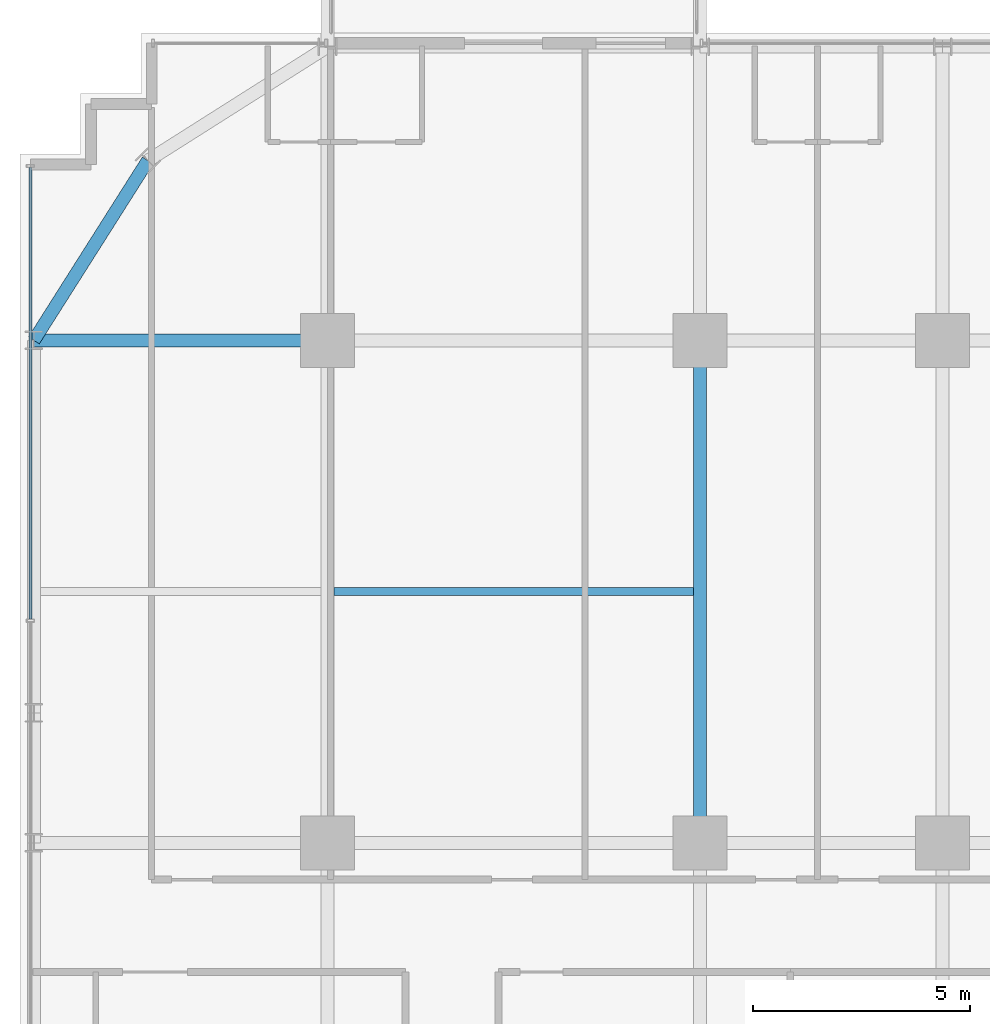
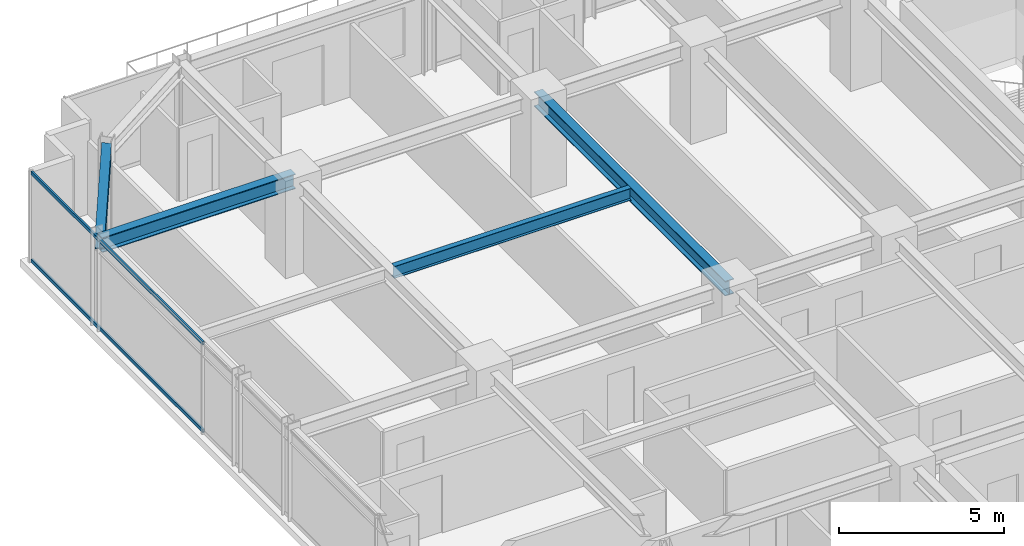
# One storey, part 17 of 34: 4 beams, 2 members, 1 element without a shape of its own.
"""IFC4 building model written with IfcOpenShell, lengths in metres."""

import ifcopenshell
import ifcopenshell.guid

model = None  # the IFC model being written
_history = None  # IfcOwnerHistory: only IFC2X3 demands one
_inside = {}  # id of a spatial element -> (the spatial element, [elements in it])
_under = {}  # id of a project, library or spatial element -> (it, [spatial elements below it])
_declared = {}  # id of a project -> (the project, [libraries it declares])
_typed = {}  # id of a type object -> (the type object, [elements of that type])
_made_of = {}  # id of a material, layer set ... -> (it, [elements and type objects made of it])


def new_model(schema):
    """Start an empty IFC model of exactly this schema.

    Asked for "IFC4X3", IfcOpenShell would pick the latest addendum, in which some entities
    have other attributes; the version numbers below select the first issue.
    IFC2X3 requires an IfcOwnerHistory on every rooted entity: one is made here for all.
    """
    global model, _history
    if schema == "IFC4X3":
        model = ifcopenshell.file(schema_version=(4, 3, 0, 0))
    else:
        model = ifcopenshell.file(schema=schema)
    _inside.clear()
    _under.clear()
    _declared.clear()
    _typed.clear()
    _made_of.clear()
    _history = None
    if model.schema == "IFC2X3":
        org = make("IfcOrganization", Name="unknown")
        user = make(
            "IfcPersonAndOrganization",
            ThePerson=make("IfcPerson", FamilyName="unknown"),
            TheOrganization=org,
        )
        app = make(
            "IfcApplication",
            ApplicationDeveloper=org,
            Version="unknown",
            ApplicationFullName="unknown",
            ApplicationIdentifier="unknown",
        )
        _history = make(
            "IfcOwnerHistory",
            OwningUser=user,
            OwningApplication=app,
            ChangeAction="ADDED",
            CreationDate=0,
        )
    return model


def make(cls, **values):
    """One entity of the class cls with the attributes given. An attribute that is None is left unset."""
    return model.create_entity(
        cls, **{name: value for name, value in values.items() if value is not None}
    )


def rooted(cls, **values):
    """An entity with a GlobalId (a new one), such as an element, a storey or a relation."""
    return make(cls, GlobalId=ifcopenshell.guid.new(), OwnerHistory=_history, **values)


def si_unit(unit_type, name, prefix=None):
    """IfcSIUnit, for example si_unit("LENGTHUNIT", "METRE", prefix="MILLI")."""
    return make("IfcSIUnit", UnitType=unit_type, Prefix=prefix, Name=name)


def assignment(units):
    """IfcUnitAssignment: the units of a project."""
    return None if units is None else make("IfcUnitAssignment", Units=units)


def point(xyz):
    """IfcCartesianPoint."""
    return None if xyz is None else make("IfcCartesianPoint", Coordinates=xyz)


def direction(xyz):
    """IfcDirection."""
    return None if xyz is None else make("IfcDirection", DirectionRatios=xyz)


def frame(location, z_axis=None, x_axis=None):
    """IfcAxis2Placement3D, a coordinate frame: its origin and axes. An axis left out is left unset."""
    return make(
        "IfcAxis2Placement3D",
        Location=point(location),
        Axis=direction(z_axis),
        RefDirection=direction(x_axis),
    )


def frame_2d(location, x_axis=None):
    """IfcAxis2Placement2D, a coordinate frame in the plane: its origin and x axis."""
    return make(
        "IfcAxis2Placement2D", Location=point(location), RefDirection=direction(x_axis)
    )


def origin():
    """The frame at (0, 0, 0) with its axes left unset."""
    return frame((0.0, 0.0, 0.0))


def origin_2d():
    """The frame at (0, 0) in the plane with its x axis left unset."""
    return frame_2d((0.0, 0.0))


def place(relative_to, where):
    """IfcLocalPlacement: puts the frame where relative to a parent placement (None: the world)."""
    return make(
        "IfcLocalPlacement", PlacementRelTo=relative_to, RelativePlacement=where
    )


def context(
    kind, dimensions, precision=None, world=None, true_north=None, identifier=None
):
    """IfcGeometricRepresentationContext, for example the 3D "Model" context."""
    return make(
        "IfcGeometricRepresentationContext",
        ContextIdentifier=identifier,
        ContextType=kind,
        CoordinateSpaceDimension=dimensions,
        Precision=precision,
        WorldCoordinateSystem=world,
        TrueNorth=true_north,
    )


def subcontext(parent, identifier, kind, view, scale=None):
    """IfcGeometricRepresentationSubContext, for example "Body" below "Model"."""
    return make(
        "IfcGeometricRepresentationSubContext",
        ContextIdentifier=identifier,
        ContextType=kind,
        ParentContext=parent,
        TargetScale=scale,
        TargetView=view,
    )


def project(units=None, contexts=None):
    """IfcProject with its units and contexts."""
    return rooted(
        "IfcProject",
        Name="project",
        RepresentationContexts=contexts,
        UnitsInContext=assignment(units),
    )


def spatial(cls, under=None, at=None, **own):
    """A site, building, storey or space (cls), placed at a placement, below another one or the project."""
    s = rooted(cls, ObjectPlacement=at, **own)
    if under is not None:
        _under.setdefault(under.id(), (under, []))[1].append(s)
    return s


def profile(cls, at=None, kind="AREA", **sizes):
    """A parametric profile (cls). Its sizes go by their IFC names, for example OverallWidth=200.0."""
    return make(cls, ProfileType=kind, Position=at, **sizes)


def hollow_rectangle(**sizes):
    """IfcRectangleHollowProfileDef."""
    return profile("IfcRectangleHollowProfileDef", **sizes)


def i_section(**sizes):
    """IfcIShapeProfileDef."""
    return profile("IfcIShapeProfileDef", **sizes)


def extrude(swept, where, along, depth):
    """IfcExtrudedAreaSolid: the profile swept, set in the frame where, extruded along a direction by depth."""
    return make(
        "IfcExtrudedAreaSolid",
        SweptArea=swept,
        Position=where,
        ExtrudedDirection=direction(along),
        Depth=depth,
    )


def shape(context_of_items, identifier, shape_type, items):
    """IfcShapeRepresentation: the items that make up one representation, for example the "Body"."""
    return make(
        "IfcShapeRepresentation",
        ContextOfItems=context_of_items,
        RepresentationIdentifier=identifier,
        RepresentationType=shape_type,
        Items=items,
    )


def source(mapping_origin, context_of_items, identifier, shape_type, items):
    """IfcRepresentationMap: a shape defined once, which mapped items show again and again."""
    return make(
        "IfcRepresentationMap",
        MappingOrigin=mapping_origin,
        MappedRepresentation=shape(context_of_items, identifier, shape_type, items),
    )


def transform(
    local_origin,
    x_axis=None,
    y_axis=None,
    z_axis=None,
    scale=None,
    scale2=None,
    scale3=None,
    uniform=True,
):
    """IfcCartesianTransformationOperator3D, or its non-uniform kind. x_axis, y_axis, z_axis: its Axis1, 2, 3."""
    if uniform:
        return make(
            "IfcCartesianTransformationOperator3D",
            Axis1=direction(x_axis),
            Axis2=direction(y_axis),
            LocalOrigin=point(local_origin),
            Scale=scale,
            Axis3=direction(z_axis),
        )
    return make(
        "IfcCartesianTransformationOperator3DnonUniform",
        Axis1=direction(x_axis),
        Axis2=direction(y_axis),
        LocalOrigin=point(local_origin),
        Scale=scale,
        Axis3=direction(z_axis),
        Scale2=scale2,
        Scale3=scale3,
    )


def mapped(mapping_source, mapping_target):
    """IfcMappedItem: shows the shape of a source again, moved by a transform."""
    return make(
        "IfcMappedItem", MappingSource=mapping_source, MappingTarget=mapping_target
    )


def material(Name=None, Category=None):
    """IfcMaterial."""
    return make("IfcMaterial", Name=Name, Category=Category)


def material_profile(
    of_material, cross_section, Name=None, Category=None, Priority=None
):
    """IfcMaterialProfile: a cross section and its material."""
    return make(
        "IfcMaterialProfile",
        Name=Name,
        Material=of_material,
        Profile=cross_section,
        Priority=Priority,
        Category=Category,
    )


def profile_set(profiles, Name=None, composite=None):
    """IfcMaterialProfileSet."""
    return make(
        "IfcMaterialProfileSet",
        Name=Name,
        MaterialProfiles=profiles,
        CompositeProfile=composite,
    )


def made_of(thing, what):
    """Note that an element or type object is made of a material, layer set ...; save() writes the relation."""
    if what is not None:
        _made_of.setdefault(what.id(), (what, []))[1].append(thing)
    return thing


def type_object(cls, material=None, **own):
    """A type object (cls), such as IfcWallType, which elements share."""
    return made_of(rooted(cls, **own), material)


def element(
    cls,
    number,
    at=None,
    inside=None,
    cuts=None,
    type_object=None,
    material=None,
    context=None,
    identifier="Body",
    shape_type=None,
    held_by="IfcProductDefinitionShape",
    body=None,
    shapes=None,
    **own,
):
    """One element of the class cls, such as IfcWall. Its Tag is "e" and its number.

    at: its placement. inside: the storey or other place that contains it. cuts: it is an
    opening in that element (IfcRelVoidsElement). A single representation is given by context,
    identifier, shape_type and body (its items); several are given by shapes. held_by: the class
    of the entity that holds the representations. save() writes the other relations.
    """
    e = rooted(cls, Tag="e%d" % number, ObjectPlacement=at, **own)
    if body is not None:
        shapes = [shape(context, identifier, shape_type, body)]
    if shapes is not None:
        e.Representation = make(held_by, Representations=shapes)
    if inside is not None:
        _inside.setdefault(inside.id(), (inside, []))[1].append(e)
    if cuts is not None:
        rooted(
            "IfcRelVoidsElement", RelatingBuildingElement=cuts, RelatedOpeningElement=e
        )
    if type_object is not None:
        _typed.setdefault(type_object.id(), (type_object, []))[1].append(e)
    return made_of(e, material)


def aggregate(whole, parts):
    """IfcRelAggregates: a whole, such as a stair, and the parts it consists of."""
    return rooted("IfcRelAggregates", RelatingObject=whole, RelatedObjects=parts)


def save(model, path):
    """Write the relations noted so far, then the file.

    IfcRelAggregates (storeys below a building ...), IfcRelContainedInSpatialStructure (elements
    in a storey), IfcRelDefinesByType, IfcRelAssociatesMaterial and IfcRelDeclares: one each for
    every whole, place, type object, material and project.
    """
    for whole, parts in _under.values():
        aggregate(whole, parts)
    for where, things in _inside.values():
        rooted(
            "IfcRelContainedInSpatialStructure",
            RelatedElements=things,
            RelatingStructure=where,
        )
    for kind, things in _typed.values():
        rooted("IfcRelDefinesByType", RelatedObjects=things, RelatingType=kind)
    for what, things in _made_of.values():
        rooted("IfcRelAssociatesMaterial", RelatedObjects=things, RelatingMaterial=what)
    for by, libraries in _declared.values():
        rooted("IfcRelDeclares", RelatingContext=by, RelatedDefinitions=libraries)
    model.write(path)


model = new_model("IFC4")

# Units and contexts
model_context = context("Model", 3, precision=1e-05, world=origin(), true_north=direction((0.0, 1.0)))
body_context = subcontext(model_context, "Body", "Model", "MODEL_VIEW")
ifc_project = project(units=[si_unit("LENGTHUNIT", "METRE"), si_unit("AREAUNIT", "SQUARE_METRE"), si_unit("VOLUMEUNIT", "CUBIC_METRE"), si_unit("PLANEANGLEUNIT", "RADIAN"), si_unit("MASSUNIT", "GRAM", prefix="KILO")], contexts=[model_context])

# Site, building, storey
site_placement = place(None, origin())
site = spatial("IfcSite", under=ifc_project, at=site_placement, CompositionType="ELEMENT")
building_placement = place(site_placement, origin())
building = spatial("IfcBuilding", under=site, at=building_placement, Name="Nahalor Promenade Grand Hotel", CompositionType="ELEMENT")
storey_placement = place(building_placement, frame((0.0, 0.0, 99.25)))
storey = spatial("IfcBuildingStorey", under=building, at=storey_placement, Name="L24", CompositionType="ELEMENT", Elevation=99.25)

# Beams
ifc_material_1 = material(Name="Steel S355JR", Category="steel")
ifc_material_profile_1 = material_profile(ifc_material_1, i_section(OverallWidth=0.3, OverallDepth=0.5, WebThickness=0.0145, FlangeThickness=0.028, at=origin_2d()), Name="HEB 500")
ifc_profile_set_1 = profile_set([ifc_material_profile_1], Name="Steel S355JR")
beam_type_1 = type_object("IfcBeamType", Name="Beam-Spandrel-HEB500", PredefinedType="SPANDREL", material=ifc_profile_set_1)
shared_shape_1 = source(origin(), body_context, "Body", "SweptSolid", [
    extrude(i_section(OverallWidth=0.3, OverallDepth=0.5, WebThickness=0.0145, FlangeThickness=0.028, at=origin_2d()), origin(), (0.0, 0.0, 1.0), 4.9130859375),
])
beam_1_placement = place(storey_placement, frame((-21.14990234375, 21.14990234375, 3.1298828125), z_axis=(-0.535321591403, -0.844648325505, 0.0), x_axis=(0.844648325505, -0.535321591403, 0.0)))
element("IfcBeam", 1, at=beam_1_placement, inside=storey, type_object=beam_type_1, Name="BM-L24-SPC-NW-2", PredefinedType="SPANDREL", context=body_context, shape_type="MappedRepresentation", body=[
    mapped(shared_shape_1, transform((0.0, 0.0, 0.0), scale=1.0)),
])
ifc_material_profile_2 = material_profile(ifc_material_1, i_section(OverallWidth=0.3, OverallDepth=0.55, WebThickness=0.015, FlangeThickness=0.029, at=origin_2d()), Name="HEB 550")
ifc_profile_set_2 = profile_set([ifc_material_profile_2], Name="Steel S355JR")
beam_type_2 = type_object("IfcBeamType", Name="Beam-Girder-HEB550", PredefinedType="BEAM", material=ifc_profile_set_2)
shared_shape_2 = source(origin(), body_context, "Body", "SweptSolid", [
    extrude(i_section(OverallWidth=0.3, OverallDepth=0.55, WebThickness=0.015, FlangeThickness=0.029, at=origin_2d()), origin(), (0.0, 0.0, 1.0), 6.780029296875),
])
beam_2_placement = place(storey_placement, frame((-23.780029296875, 17.0, 3.10498046875), z_axis=(1.0, 0.0, 0.0), x_axis=(0.0, 1.0, 0.0)))
element("IfcBeam", 2, at=beam_2_placement, inside=storey, type_object=beam_type_2, Name="BM-L24-GX-3-0", PredefinedType="BEAM", context=body_context, shape_type="MappedRepresentation", body=[
    mapped(shared_shape_2, transform((0.0, 0.0, 0.0), scale=1.0)),
])
shared_shape_3 = source(origin(), body_context, "Body", "SweptSolid", [
    extrude(i_section(OverallWidth=0.3, OverallDepth=0.55, WebThickness=0.015, FlangeThickness=0.029, at=origin_2d()), origin(), (0.0, 0.0, 1.0), 11.60009765625),
])
beam_3_placement = place(storey_placement, frame((-8.39990234375, 5.39990234375, 3.10498046875), z_axis=(0.0, 1.0, 0.0), x_axis=(-1.0, 0.0, 0.0)))
element("IfcBeam", 3, at=beam_3_placement, inside=storey, type_object=beam_type_2, Name="BM-L24-GY-1-3", PredefinedType="BEAM", context=body_context, shape_type="MappedRepresentation", body=[
    mapped(shared_shape_3, transform((0.0, 0.0, 0.0), scale=1.0)),
])
ifc_material_profile_3 = material_profile(ifc_material_1, i_section(OverallWidth=0.19, OverallDepth=0.45, WebThickness=0.0094, FlangeThickness=0.0146, at=origin_2d()), Name="IPE 450")
ifc_profile_set_3 = profile_set([ifc_material_profile_3], Name="Steel S355JR")
beam_type_3 = type_object("IfcBeamType", Name="Beam-Joist-IPE450", PredefinedType="JOIST", material=ifc_profile_set_3)
shared_shape_4 = source(origin(), body_context, "Body", "SweptSolid", [
    extrude(i_section(OverallWidth=0.19, OverallDepth=0.45, WebThickness=0.0094, FlangeThickness=0.0146, at=origin_2d()), origin(), (0.0, 0.0, 1.0), 8.300048828125),
])
beam_4_placement = place(storey_placement, frame((-16.85009765625, 11.199951171875, 3.155029296875), z_axis=(1.0, 0.0, 0.0), x_axis=(0.0, 1.0, 0.0)))
element("IfcBeam", 4, at=beam_4_placement, inside=storey, type_object=beam_type_3, Name="BM-L24-JSW-1-1", PredefinedType="JOIST", context=body_context, shape_type="MappedRepresentation", body=[
    mapped(shared_shape_4, transform((0.0, 0.0, 0.0), scale=1.0)),
])

# Curtain wall, members
ifc_material_2 = material(Name="Anodised Bronze Aluminium EN AW-6063 T6", Category="aluminium")
curtain_wall_type = type_object("IfcCurtainWallType", Name="CW2 Typical Hotel Flush Bronze Unitised Curtain Wall", PredefinedType="USERDEFINED", material=ifc_material_2)
curtain_wall_placement = place(storey_placement, origin())
curtain_wall = element("IfcCurtainWall", 5, at=curtain_wall_placement, inside=storey, type_object=curtain_wall_type, Name="L24 Curtain Wall CW-L24-W-1", ObjectType="UNITISED_CURTAIN_WALL", PredefinedType="USERDEFINED")
ifc_material_profile_4 = material_profile(ifc_material_2, hollow_rectangle(XDim=0.065, YDim=0.13, WallThickness=0.004, at=origin_2d()), Name="CWT 65x130x4")
ifc_profile_set_4 = profile_set([ifc_material_profile_4], Name="Anodised Bronze Aluminium EN AW-6063 T6")
member_type = type_object("IfcMemberType", Name="CWT2 Typical Bronze Transom 65x130", PredefinedType="USERDEFINED", material=ifc_profile_set_4)
shared_shape_5 = source(origin(), body_context, "Body", "SweptSolid", [
    extrude(hollow_rectangle(XDim=0.065, YDim=0.13, WallThickness=0.004, at=origin_2d()), origin(), (0.0, 0.0, 1.0), 10.4326171875),
])
member_1_placement = place(storey_placement, frame((-23.860107421875, 10.5625, 0.06494140625), z_axis=(0.0, 1.0, 0.0), x_axis=(-1.0, 0.0, 0.0)))
member_1 = element("IfcMember", 6, at=member_1_placement, type_object=member_type, Name="CW-L24-W-1 Transom 3-0", ObjectType="TRANSOM", PredefinedType="USERDEFINED", context=body_context, shape_type="MappedRepresentation", body=[
    mapped(shared_shape_5, transform((0.0, 0.0, 0.0), scale=1.0)),
])
member_2_placement = place(storey_placement, frame((-23.860107421875, 10.5625, 3.31494140625), z_axis=(0.0, 1.0, 0.0), x_axis=(-1.0, 0.0, 0.0)))
member_2 = element("IfcMember", 7, at=member_2_placement, type_object=member_type, Name="CW-L24-W-1 Transom 3-1", ObjectType="TRANSOM", PredefinedType="USERDEFINED", context=body_context, shape_type="MappedRepresentation", body=[
    mapped(shared_shape_5, transform((0.0, 0.0, 0.0), scale=1.0)),
])
aggregate(curtain_wall, [member_1, member_2])

save(model, "model.ifc")
